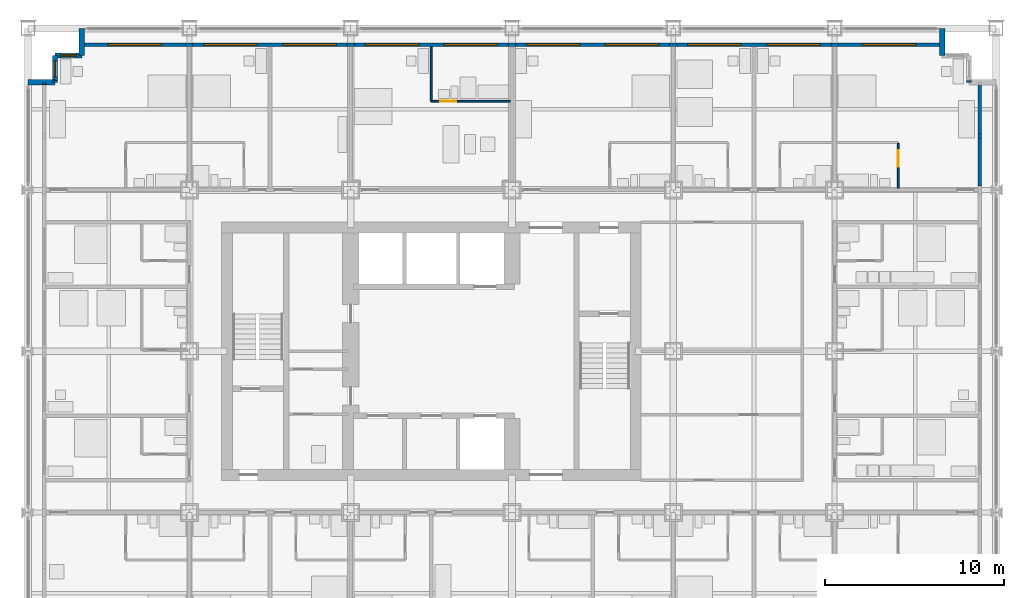
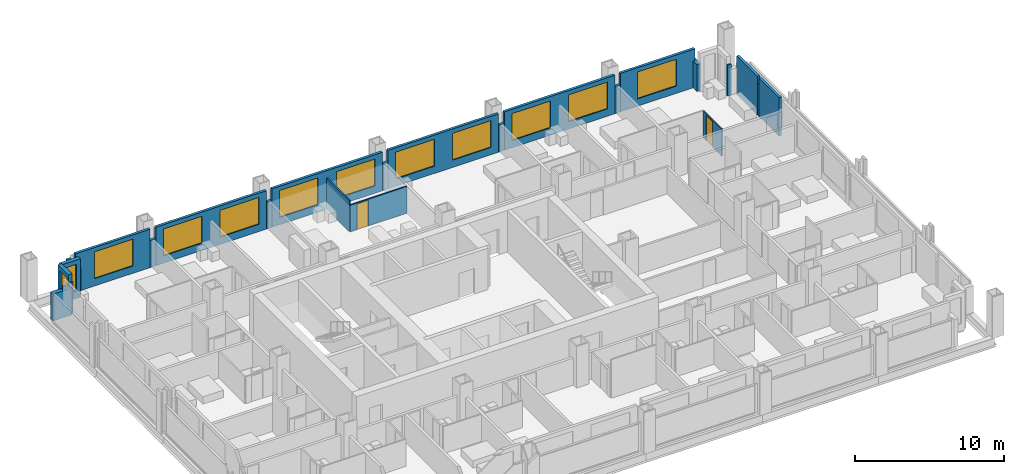
# One storey, part 15 of 19: 25 walls, 12 windows, 2 doors, 14 openings.
"""IFC4 building model written with IfcOpenShell, lengths in metres."""

from ifc_helpers import new_model, si_unit, direction, frame, frame_2d, origin, place, context, subcontext, project, spatial, rectangle, extrude, material, layer, layer_set, type_object, element, fill, save


model = new_model("IFC4")

# Units and contexts
model_context = context("Model", 3, precision=1e-05, world=origin(), true_north=direction((0.0, 1.0)))
body_context = subcontext(model_context, "Body", "Model", "MODEL_VIEW")
ifc_project = project(units=[si_unit("LENGTHUNIT", "METRE"), si_unit("AREAUNIT", "SQUARE_METRE"), si_unit("VOLUMEUNIT", "CUBIC_METRE"), si_unit("PLANEANGLEUNIT", "RADIAN"), si_unit("MASSUNIT", "GRAM", prefix="KILO")], contexts=[model_context])

# Site, building, storey
site_placement = place(None, origin())
site = spatial("IfcSite", under=ifc_project, at=site_placement, CompositionType="ELEMENT")
building_placement = place(site_placement, origin())
building = spatial("IfcBuilding", under=site, at=building_placement, Name="Loomwork Tower", CompositionType="ELEMENT")
storey_placement = place(building_placement, frame((0.0, 0.0, 85.800048828125)))
storey = spatial("IfcBuildingStorey", under=building, at=storey_placement, Name="L22", CompositionType="ELEMENT", Elevation=85.800048828125)

# Wall, opening, door
ifc_material_1 = material(Name="Cement board on steel studs", Category="steel")
ifc_layer_1 = layer(ifc_material_1, 0.10009765625)
ifc_layer_set_1 = layer_set([ifc_layer_1], Name="En-suite partition 100")
wall_type_1 = type_object("IfcWallType", Name="En-suite partition 100", PredefinedType="PARTITIONING", material=ifc_layer_set_1)
wall_1_placement = place(storey_placement, frame((22.5, 31.949951171875, 0.0), z_axis=(0.0, 0.0, 1.0), x_axis=(1.0, 0.0, 0.0)))
wall_1 = element("IfcWall", 1, at=wall_1_placement, inside=storey, type_object=wall_type_1, Name="Spa bathroom wall L22 room 13", PredefinedType="PARTITIONING", context=body_context, shape_type="SweptSolid", body=[
    extrude(rectangle(XDim=4.39990234375, YDim=0.10009765625, at=frame_2d((2.199951171875, 0.0))), origin(), (0.0, 0.0, 1.0), 2.201904296875),
])
opening_1_placement = place(wall_1_placement, frame((0.5, 0.0, 0.0)))
opening_1 = element("IfcOpeningElement", 2, at=opening_1_placement, cuts=wall_1, Name="Opening D2", PredefinedType="OPENING", context=body_context, shape_type="SweptSolid", body=[
    extrude(rectangle(XDim=0.89990234375, YDim=2.10009765625, at=frame_2d((0.449951171875, 1.050048828125))), frame((0.0, 0.06005859375, 0.0), z_axis=(0.0, -1.0, 0.0), x_axis=(1.0, 0.0, 0.0)), (0.0, 0.0, 1.0), 0.1201171875),
])
ifc_material_2 = material(Name="Hollow metal door and frame")
door_type = type_object("IfcDoorType", Name="En-suite door 900", OperationType="SINGLE_SWING_LEFT", PredefinedType="DOOR", material=ifc_material_2)
door_1_placement = place(opening_1_placement, origin())
door_1 = element("IfcDoor", 3, at=door_1_placement, inside=storey, type_object=door_type, Name="Spa bathroom door room 13", OperationType="SINGLE_SWING_LEFT", OverallHeight=2.10009765625, OverallWidth=0.89990234375, PredefinedType="DOOR", context=body_context, shape_type="SweptSolid", body=[
    extrude(rectangle(XDim=0.89990234375, YDim=2.10009765625, at=frame_2d((0.449951171875, 1.050048828125))), frame((0.0, 0.02490234375, 0.0), z_axis=(0.0, -1.0, 0.0), x_axis=(1.0, 0.0, 0.0)), (0.0, 0.0, 1.0), 0.050048828125),
])
fill(opening_1, door_1)

# Wall
wall_2_placement = place(storey_placement, frame((22.5, 31.949951171875, 0.0), z_axis=(0.0, 0.0, 1.0), x_axis=(0.0, 1.0, 0.0)))
element("IfcWall", 4, at=wall_2_placement, inside=storey, type_object=wall_type_1, Name="Spa bathroom side wall L22 room 13", PredefinedType="PARTITIONING", context=body_context, shape_type="SweptSolid", body=[
    extrude(rectangle(XDim=3.050048828125, YDim=0.10009765625, at=frame_2d((1.52490234375, 0.0))), origin(), (0.0, 0.0, 1.0), 2.5419921875),
])

# Wall, opening, door
wall_3_placement = place(storey_placement, frame((48.550048828125, 27.10009765625, 0.0), z_axis=(0.0, 0.0, 1.0), x_axis=(0.0, 1.0, 0.0)))
wall_3 = element("IfcWall", 5, at=wall_3_placement, inside=storey, type_object=wall_type_1, Name="En-suite side wall L22 room 17", PredefinedType="PARTITIONING", context=body_context, shape_type="SweptSolid", body=[
    extrude(rectangle(XDim=2.5, YDim=0.10009765625, at=frame_2d((1.25, 0.0))), origin(), (0.0, 0.0, 1.0), 2.2099609375),
])
opening_2_placement = place(wall_3_placement, frame((1.199951171875, 0.0, 0.0)))
opening_2 = element("IfcOpeningElement", 6, at=opening_2_placement, cuts=wall_3, Name="Opening D2", PredefinedType="OPENING", context=body_context, shape_type="SweptSolid", body=[
    extrude(rectangle(XDim=0.89990234375, YDim=2.10009765625, at=frame_2d((0.449951171875, 1.050048828125))), frame((0.0, 0.06005859375, 0.0), z_axis=(0.0, -1.0, 0.0), x_axis=(1.0, 0.0, 0.0)), (0.0, 0.0, 1.0), 0.1201171875),
])
door_2_placement = place(opening_2_placement, origin())
door_2 = element("IfcDoor", 7, at=door_2_placement, inside=storey, type_object=door_type, Name="En-suite door room 17", OperationType="SINGLE_SWING_RIGHT", OverallHeight=2.10009765625, OverallWidth=0.89990234375, PredefinedType="DOOR", context=body_context, shape_type="SweptSolid", body=[
    extrude(rectangle(XDim=0.89990234375, YDim=2.10009765625, at=frame_2d((0.449951171875, 1.050048828125))), frame((0.0, 0.02490234375, 0.0), z_axis=(0.0, -1.0, 0.0), x_axis=(1.0, 0.0, 0.0)), (0.0, 0.0, 1.0), 0.050048828125),
])
fill(opening_2, door_2)

# Wall, opening, window
ifc_material_3 = material(Name="Insulated steel stud wall with gypsum lining", Category="steel")
ifc_layer_2 = layer(ifc_material_3, 0.199951171875)
ifc_layer_set_2 = layer_set([ifc_layer_2], Name="Inner skin wall 200")
wall_type_2 = type_object("IfcWallType", Name="Inner skin wall 200", PredefinedType="SOLIDWALL", material=ifc_layer_set_2)
wall_4_placement = place(storey_placement, frame((3.0, 35.10009765625, 0.0), z_axis=(0.0, 0.0, 1.0), x_axis=(1.0, 0.0, 0.0)))
wall_4 = element("IfcWall", 8, at=wall_4_placement, inside=storey, type_object=wall_type_2, Name="Inner skin wall N", PredefinedType="SOLIDWALL", context=body_context, shape_type="SweptSolid", body=[
    extrude(rectangle(XDim=5.78466796875, YDim=0.199951171875, at=frame_2d((2.892333984375, 0.0))), origin(), (0.0, 0.0, 1.0), 3.14990234375),
])
opening_3_placement = place(wall_4_placement, frame((1.449951171875, 0.0, 0.60009765625)))
opening_3 = element("IfcOpeningElement", 9, at=opening_3_placement, cuts=wall_4, Name="Opening CH1", PredefinedType="OPENING", context=body_context, shape_type="SweptSolid", body=[
    extrude(rectangle(XDim=3.0, YDim=2.199951171875, at=frame_2d((1.5, 1.10009765625))), frame((0.0, 0.10986328125, 0.0), z_axis=(0.0, -1.0, 0.0), x_axis=(1.0, 0.0, 0.0)), (0.0, 0.0, 1.0), 0.219970703125),
])
ifc_material_4 = material(Name="Aluminium frame with clear insulated glass", Category="aluminium")
window_type_1 = type_object("IfcWindowType", Name="Chicago window 3000", PartitioningType="TRIPLE_PANEL_VERTICAL", PredefinedType="WINDOW", material=ifc_material_4)
window_1_placement = place(opening_3_placement, origin())
window_1 = element("IfcWindow", 10, at=window_1_placement, inside=storey, type_object=window_type_1, Name="Chicago window L22 bay 7", OverallHeight=2.199951171875, OverallWidth=3.0, PartitioningType="TRIPLE_PANEL_VERTICAL", PredefinedType="WINDOW", context=body_context, shape_type="SweptSolid", body=[
    extrude(rectangle(XDim=3.0, YDim=2.199951171875, at=frame_2d((1.5, 1.10009765625))), frame((0.0, 0.030029296875, 0.0), z_axis=(0.0, -1.0, 0.0), x_axis=(1.0, 0.0, 0.0)), (0.0, 0.0, 1.0), 0.06005859375),
])
fill(opening_3, window_1)

# Walls
wall_5_placement = place(storey_placement, frame((0.89990234375, 32.8837890625, 0.0), z_axis=(0.0, 0.0, 1.0), x_axis=(0.0, 1.0, 0.0)))
element("IfcWall", 11, at=wall_5_placement, inside=storey, type_object=wall_type_2, Name="Inner skin wall W bay 13", PredefinedType="SOLIDWALL", context=body_context, shape_type="SweptSolid", body=[
    extrude(rectangle(XDim=0.1162109375, YDim=0.199951171875, at=frame_2d((0.05810546875, 0.0))), origin(), (0.0, 0.0, 1.0), 2.5419921875),
])
wall_6_placement = place(storey_placement, frame((8.78466796875, 35.10009765625, 0.0), z_axis=(0.0, 0.0, 1.0), x_axis=(1.0, 0.0, 0.0)))
element("IfcWall", 12, at=wall_6_placement, inside=storey, type_object=wall_type_2, Name="Inner skin wall N bay 2", PredefinedType="SOLIDWALL", context=body_context, shape_type="SweptSolid", body=[
    extrude(rectangle(XDim=0.4306640625, YDim=0.199951171875, at=frame_2d((0.21533203125, 0.0))), origin(), (0.0, 0.0, 1.0), 2.2099609375),
])

# Wall, openings, windows
wall_7_placement = place(storey_placement, frame((9.21533203125, 35.10009765625, 0.0), z_axis=(0.0, 0.0, 1.0), x_axis=(1.0, 0.0, 0.0)))
wall_7 = element("IfcWall", 13, at=wall_7_placement, inside=storey, type_object=wall_type_2, Name="Inner skin wall N bay 3", PredefinedType="SOLIDWALL", context=body_context, shape_type="SweptSolid", body=[
    extrude(rectangle(XDim=8.570556640625, YDim=0.199951171875, at=frame_2d((4.28515625, 0.0))), origin(), (0.0, 0.0, 1.0), 3.14990234375),
])
opening_4_placement = place(wall_7_placement, frame((0.584716796875, 0.0, 0.60009765625)))
opening_4 = element("IfcOpeningElement", 14, at=opening_4_placement, cuts=wall_7, Name="Opening CH1", PredefinedType="OPENING", context=body_context, shape_type="SweptSolid", body=[
    extrude(rectangle(XDim=3.0, YDim=2.199951171875, at=frame_2d((1.5, 1.10009765625))), frame((0.0, 0.10986328125, 0.0), z_axis=(0.0, -1.0, 0.0), x_axis=(1.0, 0.0, 0.0)), (0.0, 0.0, 1.0), 0.219970703125),
])
opening_5_placement = place(wall_7_placement, frame((4.984619140625, 0.0, 0.60009765625)))
opening_5 = element("IfcOpeningElement", 15, at=opening_5_placement, cuts=wall_7, Name="Opening CH1", PredefinedType="OPENING", context=body_context, shape_type="SweptSolid", body=[
    extrude(rectangle(XDim=3.0, YDim=2.199951171875, at=frame_2d((1.5, 1.10009765625))), frame((0.0, 0.10986328125, 0.0), z_axis=(0.0, -1.0, 0.0), x_axis=(1.0, 0.0, 0.0)), (0.0, 0.0, 1.0), 0.219970703125),
])
window_2_placement = place(opening_4_placement, origin())
window_2 = element("IfcWindow", 16, at=window_2_placement, inside=storey, type_object=window_type_1, Name="Chicago window L22 bay 8", OverallHeight=2.199951171875, OverallWidth=3.0, PartitioningType="TRIPLE_PANEL_VERTICAL", PredefinedType="WINDOW", context=body_context, shape_type="SweptSolid", body=[
    extrude(rectangle(XDim=3.0, YDim=2.199951171875, at=frame_2d((1.5, 1.10009765625))), frame((0.0, 0.030029296875, 0.0), z_axis=(0.0, -1.0, 0.0), x_axis=(1.0, 0.0, 0.0)), (0.0, 0.0, 1.0), 0.06005859375),
])
fill(opening_4, window_2)
window_3_placement = place(opening_5_placement, origin())
window_3 = element("IfcWindow", 17, at=window_3_placement, inside=storey, type_object=window_type_1, Name="Chicago window L22 bay 8", OverallHeight=2.199951171875, OverallWidth=3.0, PartitioningType="TRIPLE_PANEL_VERTICAL", PredefinedType="WINDOW", context=body_context, shape_type="SweptSolid", body=[
    extrude(rectangle(XDim=3.0, YDim=2.199951171875, at=frame_2d((1.5, 1.10009765625))), frame((0.0, 0.030029296875, 0.0), z_axis=(0.0, -1.0, 0.0), x_axis=(1.0, 0.0, 0.0)), (0.0, 0.0, 1.0), 0.06005859375),
])
fill(opening_5, window_3)

# Wall
wall_8_placement = place(storey_placement, frame((17.785888671875, 35.10009765625, 0.0), z_axis=(0.0, 0.0, 1.0), x_axis=(1.0, 0.0, 0.0)))
element("IfcWall", 18, at=wall_8_placement, inside=storey, type_object=wall_type_2, Name="Inner skin wall N bay 4", PredefinedType="SOLIDWALL", context=body_context, shape_type="SweptSolid", body=[
    extrude(rectangle(XDim=0.42822265625, YDim=0.199951171875, at=frame_2d((0.214111328125, 0.0))), origin(), (0.0, 0.0, 1.0), 2.201904296875),
])

# Wall, openings, windows
wall_9_placement = place(storey_placement, frame((18.214111328125, 35.10009765625, 0.0), z_axis=(0.0, 0.0, 1.0), x_axis=(1.0, 0.0, 0.0)))
wall_9 = element("IfcWall", 19, at=wall_9_placement, inside=storey, type_object=wall_type_2, Name="Inner skin wall N bay 5", PredefinedType="SOLIDWALL", context=body_context, shape_type="SweptSolid", body=[
    extrude(rectangle(XDim=8.57177734375, YDim=0.199951171875, at=frame_2d((4.285888671875, 0.0))), origin(), (0.0, 0.0, 1.0), 3.14990234375),
])
opening_6_placement = place(wall_9_placement, frame((0.5859375, 0.0, 0.60009765625)))
opening_6 = element("IfcOpeningElement", 20, at=opening_6_placement, cuts=wall_9, Name="Opening CH1", PredefinedType="OPENING", context=body_context, shape_type="SweptSolid", body=[
    extrude(rectangle(XDim=3.0, YDim=2.199951171875, at=frame_2d((1.5, 1.10009765625))), frame((0.0, 0.10986328125, 0.0), z_axis=(0.0, -1.0, 0.0), x_axis=(1.0, 0.0, 0.0)), (0.0, 0.0, 1.0), 0.219970703125),
])
opening_7_placement = place(wall_9_placement, frame((4.98583984375, 0.0, 0.60009765625)))
opening_7 = element("IfcOpeningElement", 21, at=opening_7_placement, cuts=wall_9, Name="Opening CH1", PredefinedType="OPENING", context=body_context, shape_type="SweptSolid", body=[
    extrude(rectangle(XDim=3.0, YDim=2.199951171875, at=frame_2d((1.5, 1.10009765625))), frame((0.0, 0.10986328125, 0.0), z_axis=(0.0, -1.0, 0.0), x_axis=(1.0, 0.0, 0.0)), (0.0, 0.0, 1.0), 0.219970703125),
])
window_4_placement = place(opening_6_placement, origin())
window_4 = element("IfcWindow", 22, at=window_4_placement, inside=storey, type_object=window_type_1, Name="Chicago window L22 bay 9", OverallHeight=2.199951171875, OverallWidth=3.0, PartitioningType="TRIPLE_PANEL_VERTICAL", PredefinedType="WINDOW", context=body_context, shape_type="SweptSolid", body=[
    extrude(rectangle(XDim=3.0, YDim=2.199951171875, at=frame_2d((1.5, 1.10009765625))), frame((0.0, 0.030029296875, 0.0), z_axis=(0.0, -1.0, 0.0), x_axis=(1.0, 0.0, 0.0)), (0.0, 0.0, 1.0), 0.06005859375),
])
fill(opening_6, window_4)
window_5_placement = place(opening_7_placement, origin())
window_5 = element("IfcWindow", 23, at=window_5_placement, inside=storey, type_object=window_type_1, Name="Chicago window L22 bay 9", OverallHeight=2.199951171875, OverallWidth=3.0, PartitioningType="TRIPLE_PANEL_VERTICAL", PredefinedType="WINDOW", context=body_context, shape_type="SweptSolid", body=[
    extrude(rectangle(XDim=3.0, YDim=2.199951171875, at=frame_2d((1.5, 1.10009765625))), frame((0.0, 0.030029296875, 0.0), z_axis=(0.0, -1.0, 0.0), x_axis=(1.0, 0.0, 0.0)), (0.0, 0.0, 1.0), 0.06005859375),
])
fill(opening_7, window_5)

# Wall
wall_10_placement = place(storey_placement, frame((26.785888671875, 35.10009765625, 0.0), z_axis=(0.0, 0.0, 1.0), x_axis=(1.0, 0.0, 0.0)))
element("IfcWall", 24, at=wall_10_placement, inside=storey, type_object=wall_type_2, Name="Inner skin wall N bay 6", PredefinedType="SOLIDWALL", context=body_context, shape_type="SweptSolid", body=[
    extrude(rectangle(XDim=0.42822265625, YDim=0.199951171875, at=frame_2d((0.214111328125, 0.0))), origin(), (0.0, 0.0, 1.0), 2.201904296875),
])

# Wall, openings, windows
wall_11_placement = place(storey_placement, frame((27.214111328125, 35.10009765625, 0.0), z_axis=(0.0, 0.0, 1.0), x_axis=(1.0, 0.0, 0.0)))
wall_11 = element("IfcWall", 25, at=wall_11_placement, inside=storey, type_object=wall_type_2, Name="Inner skin wall N bay 7", PredefinedType="SOLIDWALL", context=body_context, shape_type="SweptSolid", body=[
    extrude(rectangle(XDim=8.570556640625, YDim=0.199951171875, at=frame_2d((4.28515625, 0.0))), origin(), (0.0, 0.0, 1.0), 3.14990234375),
])
opening_8_placement = place(wall_11_placement, frame((0.5859375, 0.0, 0.60009765625)))
opening_8 = element("IfcOpeningElement", 26, at=opening_8_placement, cuts=wall_11, Name="Opening CH1", PredefinedType="OPENING", context=body_context, shape_type="SweptSolid", body=[
    extrude(rectangle(XDim=3.0, YDim=2.199951171875, at=frame_2d((1.5, 1.10009765625))), frame((0.0, 0.10986328125, 0.0), z_axis=(0.0, -1.0, 0.0), x_axis=(1.0, 0.0, 0.0)), (0.0, 0.0, 1.0), 0.219970703125),
])
opening_9_placement = place(wall_11_placement, frame((4.98583984375, 0.0, 0.60009765625)))
opening_9 = element("IfcOpeningElement", 27, at=opening_9_placement, cuts=wall_11, Name="Opening CH1", PredefinedType="OPENING", context=body_context, shape_type="SweptSolid", body=[
    extrude(rectangle(XDim=3.0, YDim=2.199951171875, at=frame_2d((1.5, 1.10009765625))), frame((0.0, 0.10986328125, 0.0), z_axis=(0.0, -1.0, 0.0), x_axis=(1.0, 0.0, 0.0)), (0.0, 0.0, 1.0), 0.219970703125),
])
window_6_placement = place(opening_8_placement, origin())
window_6 = element("IfcWindow", 28, at=window_6_placement, inside=storey, type_object=window_type_1, Name="Chicago window L22 bay 10", OverallHeight=2.199951171875, OverallWidth=3.0, PartitioningType="TRIPLE_PANEL_VERTICAL", PredefinedType="WINDOW", context=body_context, shape_type="SweptSolid", body=[
    extrude(rectangle(XDim=3.0, YDim=2.199951171875, at=frame_2d((1.5, 1.10009765625))), frame((0.0, 0.030029296875, 0.0), z_axis=(0.0, -1.0, 0.0), x_axis=(1.0, 0.0, 0.0)), (0.0, 0.0, 1.0), 0.06005859375),
])
fill(opening_8, window_6)
window_7_placement = place(opening_9_placement, origin())
window_7 = element("IfcWindow", 29, at=window_7_placement, inside=storey, type_object=window_type_1, Name="Chicago window L22 bay 10", OverallHeight=2.199951171875, OverallWidth=3.0, PartitioningType="TRIPLE_PANEL_VERTICAL", PredefinedType="WINDOW", context=body_context, shape_type="SweptSolid", body=[
    extrude(rectangle(XDim=3.0, YDim=2.199951171875, at=frame_2d((1.5, 1.10009765625))), frame((0.0, 0.030029296875, 0.0), z_axis=(0.0, -1.0, 0.0), x_axis=(1.0, 0.0, 0.0)), (0.0, 0.0, 1.0), 0.06005859375),
])
fill(opening_9, window_7)

# Wall
wall_12_placement = place(storey_placement, frame((35.78466796875, 35.10009765625, 0.0), z_axis=(0.0, 0.0, 1.0), x_axis=(1.0, 0.0, 0.0)))
element("IfcWall", 30, at=wall_12_placement, inside=storey, type_object=wall_type_2, Name="Inner skin wall N bay 8", PredefinedType="SOLIDWALL", context=body_context, shape_type="SweptSolid", body=[
    extrude(rectangle(XDim=0.4306640625, YDim=0.199951171875, at=frame_2d((0.21533203125, 0.0))), origin(), (0.0, 0.0, 1.0), 2.2099609375),
])

# Wall, openings, windows
wall_13_placement = place(storey_placement, frame((36.21533203125, 35.10009765625, 0.0), z_axis=(0.0, 0.0, 1.0), x_axis=(1.0, 0.0, 0.0)))
wall_13 = element("IfcWall", 31, at=wall_13_placement, inside=storey, type_object=wall_type_2, Name="Inner skin wall N bay 9", PredefinedType="SOLIDWALL", context=body_context, shape_type="SweptSolid", body=[
    extrude(rectangle(XDim=8.5693359375, YDim=0.199951171875, at=frame_2d((4.28466796875, 0.0))), origin(), (0.0, 0.0, 1.0), 3.14990234375),
])
opening_10_placement = place(wall_13_placement, frame((0.584716796875, 0.0, 0.60009765625)))
opening_10 = element("IfcOpeningElement", 32, at=opening_10_placement, cuts=wall_13, Name="Opening CH1", PredefinedType="OPENING", context=body_context, shape_type="SweptSolid", body=[
    extrude(rectangle(XDim=3.0, YDim=2.199951171875, at=frame_2d((1.5, 1.10009765625))), frame((0.0, 0.10986328125, 0.0), z_axis=(0.0, -1.0, 0.0), x_axis=(1.0, 0.0, 0.0)), (0.0, 0.0, 1.0), 0.219970703125),
])
opening_11_placement = place(wall_13_placement, frame((4.984619140625, 0.0, 0.60009765625)))
opening_11 = element("IfcOpeningElement", 33, at=opening_11_placement, cuts=wall_13, Name="Opening CH1", PredefinedType="OPENING", context=body_context, shape_type="SweptSolid", body=[
    extrude(rectangle(XDim=3.0, YDim=2.199951171875, at=frame_2d((1.5, 1.10009765625))), frame((0.0, 0.10986328125, 0.0), z_axis=(0.0, -1.0, 0.0), x_axis=(1.0, 0.0, 0.0)), (0.0, 0.0, 1.0), 0.219970703125),
])
window_8_placement = place(opening_10_placement, origin())
window_8 = element("IfcWindow", 34, at=window_8_placement, inside=storey, type_object=window_type_1, Name="Chicago window L22 bay 11", OverallHeight=2.199951171875, OverallWidth=3.0, PartitioningType="TRIPLE_PANEL_VERTICAL", PredefinedType="WINDOW", context=body_context, shape_type="SweptSolid", body=[
    extrude(rectangle(XDim=3.0, YDim=2.199951171875, at=frame_2d((1.5, 1.10009765625))), frame((0.0, 0.030029296875, 0.0), z_axis=(0.0, -1.0, 0.0), x_axis=(1.0, 0.0, 0.0)), (0.0, 0.0, 1.0), 0.06005859375),
])
fill(opening_10, window_8)
window_9_placement = place(opening_11_placement, origin())
window_9 = element("IfcWindow", 35, at=window_9_placement, inside=storey, type_object=window_type_1, Name="Chicago window L22 bay 11", OverallHeight=2.199951171875, OverallWidth=3.0, PartitioningType="TRIPLE_PANEL_VERTICAL", PredefinedType="WINDOW", context=body_context, shape_type="SweptSolid", body=[
    extrude(rectangle(XDim=3.0, YDim=2.199951171875, at=frame_2d((1.5, 1.10009765625))), frame((0.0, 0.030029296875, 0.0), z_axis=(0.0, -1.0, 0.0), x_axis=(1.0, 0.0, 0.0)), (0.0, 0.0, 1.0), 0.06005859375),
])
fill(opening_11, window_9)

# Wall
wall_14_placement = place(storey_placement, frame((44.78466796875, 35.10009765625, 0.0), z_axis=(0.0, 0.0, 1.0), x_axis=(1.0, 0.0, 0.0)))
element("IfcWall", 36, at=wall_14_placement, inside=storey, type_object=wall_type_2, Name="Inner skin wall N bay 10", PredefinedType="SOLIDWALL", context=body_context, shape_type="SweptSolid", body=[
    extrude(rectangle(XDim=0.4306640625, YDim=0.199951171875, at=frame_2d((0.21533203125, 0.0))), origin(), (0.0, 0.0, 1.0), 2.2099609375),
])

# Wall, opening, window
wall_15_placement = place(storey_placement, frame((45.21533203125, 35.10009765625, 0.0), z_axis=(0.0, 0.0, 1.0), x_axis=(1.0, 0.0, 0.0)))
wall_15 = element("IfcWall", 37, at=wall_15_placement, inside=storey, type_object=wall_type_2, Name="Inner skin wall N bay 11", PredefinedType="SOLIDWALL", context=body_context, shape_type="SweptSolid", body=[
    extrude(rectangle(XDim=5.78466796875, YDim=0.199951171875, at=frame_2d((2.892333984375, 0.0))), origin(), (0.0, 0.0, 1.0), 3.14990234375),
])
opening_12_placement = place(wall_15_placement, frame((1.334716796875, 0.0, 0.60009765625)))
opening_12 = element("IfcOpeningElement", 38, at=opening_12_placement, cuts=wall_15, Name="Opening CH1", PredefinedType="OPENING", context=body_context, shape_type="SweptSolid", body=[
    extrude(rectangle(XDim=3.0, YDim=2.199951171875, at=frame_2d((1.5, 1.10009765625))), frame((0.0, 0.10986328125, 0.0), z_axis=(0.0, -1.0, 0.0), x_axis=(1.0, 0.0, 0.0)), (0.0, 0.0, 1.0), 0.219970703125),
])
window_10_placement = place(opening_12_placement, origin())
window_10 = element("IfcWindow", 39, at=window_10_placement, inside=storey, type_object=window_type_1, Name="Chicago window L22 bay 12", OverallHeight=2.199951171875, OverallWidth=3.0, PartitioningType="TRIPLE_PANEL_VERTICAL", PredefinedType="WINDOW", context=body_context, shape_type="SweptSolid", body=[
    extrude(rectangle(XDim=3.0, YDim=2.199951171875, at=frame_2d((1.5, 1.10009765625))), frame((0.0, 0.030029296875, 0.0), z_axis=(0.0, -1.0, 0.0), x_axis=(1.0, 0.0, 0.0)), (0.0, 0.0, 1.0), 0.06005859375),
])
fill(opening_12, window_10)

# Walls
wall_16_placement = place(storey_placement, frame((53.10009765625, 27.21533203125, 0.0), z_axis=(0.0, 0.0, 1.0), x_axis=(0.0, 1.0, 0.0)))
element("IfcWall", 40, at=wall_16_placement, inside=storey, type_object=wall_type_2, Name="Inner skin wall E bay 10", PredefinedType="SOLIDWALL", context=body_context, shape_type="SweptSolid", body=[
    extrude(rectangle(XDim=2.66845703125, YDim=0.199951171875, at=frame_2d((1.334228515625, 0.0))), origin(), (0.0, 0.0, 1.0), 3.14990234375),
])
wall_17_placement = place(storey_placement, frame((53.10009765625, 29.8837890625, 0.0), z_axis=(0.0, 0.0, 1.0), x_axis=(0.0, 1.0, 0.0)))
element("IfcWall", 41, at=wall_17_placement, inside=storey, type_object=wall_type_2, Name="Inner skin wall E bay 11", PredefinedType="SOLIDWALL", context=body_context, shape_type="SweptSolid", body=[
    extrude(rectangle(XDim=0.232421875, YDim=0.199951171875, at=frame_2d((0.1162109375, 0.0))), origin(), (0.0, 0.0, 1.0), 2.5419921875),
])
wall_18_placement = place(storey_placement, frame((53.10009765625, 30.1162109375, 0.0), z_axis=(0.0, 0.0, 1.0), x_axis=(0.0, 1.0, 0.0)))
element("IfcWall", 42, at=wall_18_placement, inside=storey, type_object=wall_type_2, Name="Inner skin wall E bay 12", PredefinedType="SOLIDWALL", context=body_context, shape_type="SweptSolid", body=[
    extrude(rectangle(XDim=2.767578125, YDim=0.199951171875, at=frame_2d((1.3837890625, 0.0))), origin(), (0.0, 0.0, 1.0), 3.14990234375),
])
ifc_material_5 = material(Name="Limestone on concrete masonry", Category="masonry")
ifc_layer_3 = layer(ifc_material_5, 0.300048828125)
ifc_layer_set_3 = layer_set([ifc_layer_3], Name="Limestone corner wall 300")
wall_type_3 = type_object("IfcWallType", Name="Limestone corner wall 300", PredefinedType="SOLIDWALL", material=ifc_layer_set_3)
wall_19_placement = place(storey_placement, frame((52.5, 33.0, 0.0), z_axis=(0.0, 0.0, 1.0), x_axis=(0.0, 1.0, 0.0)))
element("IfcWall", 43, at=wall_19_placement, inside=storey, type_object=wall_type_3, Name="Stone corner wall NE 2", PredefinedType="SOLIDWALL", context=body_context, shape_type="SweptSolid", body=[
    extrude(rectangle(XDim=0.1162109375, YDim=0.300048828125, at=frame_2d((0.05810546875, 0.0))), origin(), (0.0, 0.0, 1.0), 2.5419921875),
])
for number, where, z_axis, x_axis, name in (
    (44, (51.0, 34.5, 0.0), (0.0, 0.0, 1.0), (0.0, 1.0, 0.0), "Stone corner wall NE 4"),
    (45, (3.0, 36.0, 0.0), (0.0, 0.0, 1.0), (0.0, -1.0, 0.0), "Stone corner wall NW 1"),
):
    element("IfcWall", number, at=place(storey_placement, frame(where, z_axis=z_axis, x_axis=x_axis)), inside=storey, type_object=wall_type_3, Name=name, PredefinedType="SOLIDWALL", context=body_context, shape_type="SweptSolid", body=[
        extrude(rectangle(XDim=1.5, YDim=0.300048828125, at=frame_2d((0.75, 0.0))), origin(), (0.0, 0.0, 1.0), 2.201904296875),
    ])

# Wall, opening, window
wall_20_placement = place(storey_placement, frame((3.0, 34.5, 0.0), z_axis=(0.0, 0.0, 1.0), x_axis=(-1.0, 0.0, 0.0)))
wall_20 = element("IfcWall", 46, at=wall_20_placement, inside=storey, type_object=wall_type_3, Name="Stone corner wall NW 2", PredefinedType="SOLIDWALL", context=body_context, shape_type="SweptSolid", body=[
    extrude(rectangle(XDim=1.5, YDim=0.300048828125, at=frame_2d((0.75, 0.0))), origin(), (0.0, 0.0, 1.0), 3.14990234375),
])
opening_13_placement = place(wall_20_placement, frame((0.300048828125, 0.0, 0.60009765625)))
opening_13 = element("IfcOpeningElement", 47, at=opening_13_placement, cuts=wall_20, Name="Opening CH2", PredefinedType="OPENING", context=body_context, shape_type="SweptSolid", body=[
    extrude(rectangle(XDim=0.89990234375, YDim=2.199951171875, at=frame_2d((0.449951171875, 1.10009765625))), frame((0.0, 0.159912109375, 0.0), z_axis=(0.0, -1.0, 0.0), x_axis=(1.0, 0.0, 0.0)), (0.0, 0.0, 1.0), 0.320068359375),
])
ifc_material_6 = material(Name="Aluminium frame with clear insulated glass", Category="aluminium")
window_type_2 = type_object("IfcWindowType", Name="Corner window 900", PartitioningType="SINGLE_PANEL", PredefinedType="WINDOW", material=ifc_material_6)
window_11_placement = place(opening_13_placement, origin())
window_11 = element("IfcWindow", 48, at=window_11_placement, inside=storey, type_object=window_type_2, Name="Corner window NW", OverallHeight=2.199951171875, OverallWidth=0.89990234375, PartitioningType="SINGLE_PANEL", PredefinedType="WINDOW", context=body_context, shape_type="SweptSolid", body=[
    extrude(rectangle(XDim=0.89990234375, YDim=2.199951171875, at=frame_2d((0.449951171875, 1.10009765625))), frame((0.0, 0.030029296875, 0.0), z_axis=(0.0, -1.0, 0.0), x_axis=(1.0, 0.0, 0.0)), (0.0, 0.0, 1.0), 0.06005859375),
])
fill(opening_13, window_11)

wall_21_placement = place(storey_placement, frame((1.5, 34.5, 0.0), z_axis=(0.0, 0.0, 1.0), x_axis=(0.0, -1.0, 0.0)))
wall_21 = element("IfcWall", 49, at=wall_21_placement, inside=storey, type_object=wall_type_3, Name="Stone corner wall NW 3", PredefinedType="SOLIDWALL", context=body_context, shape_type="SweptSolid", body=[
    extrude(rectangle(XDim=1.3837890625, YDim=0.300048828125, at=frame_2d((0.69189453125, 0.0))), origin(), (0.0, 0.0, 1.0), 3.14990234375),
])
opening_14_placement = place(wall_21_placement, frame((0.300048828125, 0.0, 0.60009765625)))
opening_14 = element("IfcOpeningElement", 50, at=opening_14_placement, cuts=wall_21, Name="Opening CH2", PredefinedType="OPENING", context=body_context, shape_type="SweptSolid", body=[
    extrude(rectangle(XDim=0.89990234375, YDim=2.199951171875, at=frame_2d((0.449951171875, 1.10009765625))), frame((0.0, 0.159912109375, 0.0), z_axis=(0.0, -1.0, 0.0), x_axis=(1.0, 0.0, 0.0)), (0.0, 0.0, 1.0), 0.320068359375),
])
window_12_placement = place(opening_14_placement, origin())
window_12 = element("IfcWindow", 51, at=window_12_placement, inside=storey, type_object=window_type_2, Name="Corner window NW", OverallHeight=2.199951171875, OverallWidth=0.89990234375, PartitioningType="SINGLE_PANEL", PredefinedType="WINDOW", context=body_context, shape_type="SweptSolid", body=[
    extrude(rectangle(XDim=0.89990234375, YDim=2.199951171875, at=frame_2d((0.449951171875, 1.10009765625))), frame((0.0, 0.030029296875, 0.0), z_axis=(0.0, -1.0, 0.0), x_axis=(1.0, 0.0, 0.0)), (0.0, 0.0, 1.0), 0.06005859375),
])
fill(opening_14, window_12)

# Walls
wall_22_placement = place(storey_placement, frame((1.5, 33.0, 0.0), z_axis=(0.0, 0.0, 1.0), x_axis=(-1.0, 0.0, 0.0)))
element("IfcWall", 52, at=wall_22_placement, inside=storey, type_object=wall_type_3, Name="Stone corner wall NW 4", PredefinedType="SOLIDWALL", context=body_context, shape_type="SweptSolid", body=[
    extrude(rectangle(XDim=1.5, YDim=0.300048828125, at=frame_2d((0.75, 0.0))), origin(), (0.0, 0.0, 1.0), 2.201904296875),
])
wall_23_placement = place(storey_placement, frame((1.5, 33.1162109375, 0.0), z_axis=(0.0, 0.0, 1.0), x_axis=(0.0, -1.0, 0.0)))
element("IfcWall", 53, at=wall_23_placement, inside=storey, type_object=wall_type_3, Name="Stone corner wall NW 3 bay 2", PredefinedType="SOLIDWALL", context=body_context, shape_type="SweptSolid", body=[
    extrude(rectangle(XDim=0.1162109375, YDim=0.300048828125, at=frame_2d((0.05810546875, 0.0))), origin(), (0.0, 0.0, 1.0), 2.5419921875),
])

save(model, "model.ifc")
